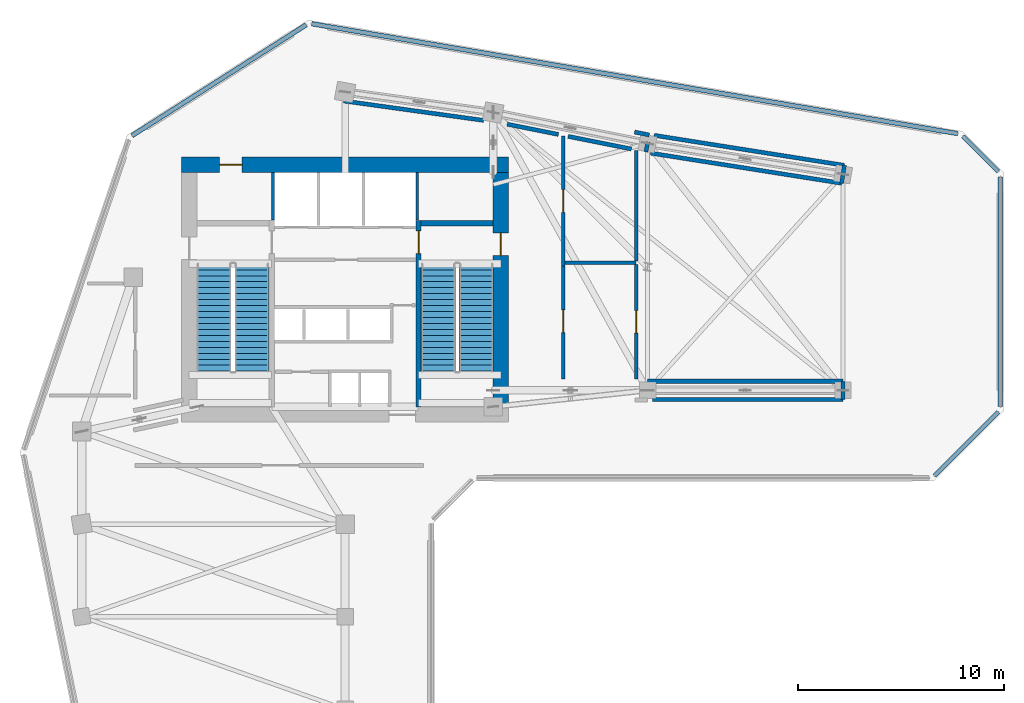
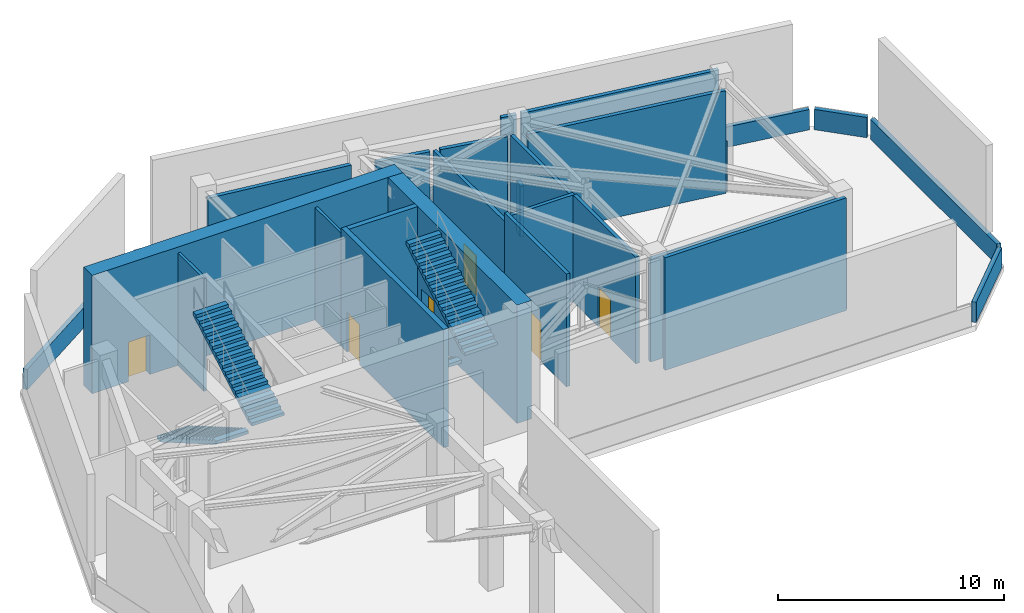
# One storey, part 7 of 10: 27 walls, 6 doors, 4 stair flights, 6 openings, 2 elements without a shape of their own.
"""IFC4 building model written with IfcOpenShell, lengths in metres."""

from ifc_helpers import new_model, si_unit, direction, frame, frame_2d, origin, place, context, subcontext, project, spatial, polyline, rectangle, outline, extrude, source, transform, mapped, material, layer, layer_set, type_object, element, fill, aggregate, save


model = new_model("IFC4")

# Units and contexts
model_context = context("Model", 3, precision=1e-05, world=origin(), true_north=direction((0.0, 1.0)))
body_context = subcontext(model_context, "Body", "Model", "MODEL_VIEW")
ifc_project = project(units=[si_unit("LENGTHUNIT", "METRE"), si_unit("AREAUNIT", "SQUARE_METRE"), si_unit("VOLUMEUNIT", "CUBIC_METRE"), si_unit("PLANEANGLEUNIT", "RADIAN"), si_unit("MASSUNIT", "GRAM", prefix="KILO")], contexts=[model_context])

# Site, building, storey
site_placement = place(None, origin())
site = spatial("IfcSite", under=ifc_project, at=site_placement, CompositionType="ELEMENT")
building_placement = place(site_placement, origin())
building = spatial("IfcBuilding", under=site, at=building_placement, Name="Calvemar Wedge Station Tower", CompositionType="ELEMENT")
storey_placement = place(building_placement, frame((0.0, 0.0, 171.800048828125)))
storey = spatial("IfcBuildingStorey", under=building, at=storey_placement, Name="L43", CompositionType="ELEMENT", Elevation=171.800048828125)

# Wall, opening, door
ifc_material_1 = material(Name="Concrete C50", Category="concrete")
ifc_layer_1 = layer(ifc_material_1, 0.260009765625)
ifc_layer_set_1 = layer_set([ifc_layer_1], Name="Concrete C50")
wall_type_1 = type_object("IfcWallType", Name="SW-CORE-260", PredefinedType="SHEAR", material=ifc_layer_set_1)
wall_1_placement = place(storey_placement, frame((27.3701171875, 34.199951171875, 0.0), z_axis=(0.0, 0.0, 1.0), x_axis=(0.0, 1.0, 0.0)))
wall_1 = element("IfcWall", 1, at=wall_1_placement, inside=storey, type_object=wall_type_1, Name="Storey L43 Core Shear Wall SPINE-E", PredefinedType="SHEAR", context=body_context, shape_type="SweptSolid", body=[
    extrude(rectangle(XDim=9.06005859375, YDim=0.260009765625, at=frame_2d((4.530029296875, 0.0))), origin(), (0.0, 0.0, 1.0), 6.39990234375),
])
shared_shape_1 = source(origin(), body_context, "Body", "SweptSolid", [
    extrude(rectangle(XDim=1.10009765625, YDim=2.14990234375, at=frame_2d((0.550048828125, 1.074951171875))), frame((0.0, 0.14013671875, 0.0), z_axis=(0.0, -1.0, 0.0), x_axis=(1.0, 0.0, 0.0)), (0.0, 0.0, 1.0), 0.280029296875),
])
opening_1_placement = place(wall_1_placement, frame((7.449951171875, 0.0, 0.0)))
opening_1 = element("IfcOpeningElement", 2, at=opening_1_placement, cuts=wall_1, Name="Opening FD-90", PredefinedType="OPENING", context=body_context, shape_type="MappedRepresentation", body=[
    mapped(shared_shape_1, transform((0.0, 0.0, 0.0), scale=1.0)),
])
ifc_material_2 = material(Name="Galvanized fire-rated steel door leaf P-90", Category="steel")
door_type = type_object("IfcDoorType", Name="DR-FD90-1100", OperationType="NOTDEFINED", PredefinedType="DOOR", material=ifc_material_2)
shared_shape_2 = source(origin(), body_context, "Body", "SweptSolid", [
    extrude(rectangle(XDim=1.10009765625, YDim=2.14990234375, at=frame_2d((0.550048828125, 1.074951171875))), frame((0.0, 0.02490234375, 0.0), z_axis=(0.0, -1.0, 0.0), x_axis=(1.0, 0.0, 0.0)), (0.0, 0.0, 1.0), 0.050048828125),
])
door_1_placement = place(opening_1_placement, origin())
door_1 = element("IfcDoor", 3, at=door_1_placement, inside=storey, type_object=door_type, Name="L43 FF Lobby to Stair ST-C2 Door", OperationType="SINGLE_SWING_LEFT", OverallHeight=2.14990234375, OverallWidth=1.10009765625, PredefinedType="DOOR", context=body_context, shape_type="MappedRepresentation", body=[
    mapped(shared_shape_2, transform((0.0, 0.0, 0.0), scale=1.0)),
])
fill(opening_1, door_1)

# Wall
wall_2_placement = place(storey_placement, frame((27.5, 43.1298828125, 0.0), z_axis=(0.0, 0.0, 1.0), x_axis=(1.0, 0.0, 0.0)))
element("IfcWall", 4, at=wall_2_placement, inside=storey, type_object=wall_type_1, Name="Storey L43 Core Shear Wall STC2-N", PredefinedType="SHEAR", context=body_context, shape_type="SweptSolid", body=[
    extrude(rectangle(XDim=3.5, YDim=0.260009765625, at=frame_2d((1.75, 0.0))), origin(), (0.0, 0.0, 1.0), 6.39990234375),
])

# Wall, opening, door
ifc_material_3 = material(Name="Concrete C70", Category="concrete")
ifc_layer_2 = layer(ifc_material_3, 0.75)
ifc_layer_set_2 = layer_set([ifc_layer_2], Name="Concrete C70")
wall_type_2 = type_object("IfcWallType", Name="SW-CORE-750", PredefinedType="SHEAR", material=ifc_layer_set_2)
wall_3_placement = place(storey_placement, frame((15.85009765625, 45.97509765625, 0.0), z_axis=(0.0, 0.0, 1.0), x_axis=(1.0, 0.0, 0.0)))
wall_3 = element("IfcWall", 5, at=wall_3_placement, inside=storey, type_object=wall_type_2, Name="Storey L43 Core Shear Wall N", PredefinedType="SHEAR", context=body_context, shape_type="SweptSolid", body=[
    extrude(rectangle(XDim=15.89990234375, YDim=0.75, at=frame_2d((7.949951171875, 0.0))), origin(), (0.0, 0.0, 1.0), 6.39990234375),
])
shared_shape_3 = source(origin(), body_context, "Body", "SweptSolid", [
    extrude(rectangle(XDim=1.10009765625, YDim=2.14990234375, at=frame_2d((0.550048828125, 1.074951171875))), frame((0.0, 0.385009765625, 0.0), z_axis=(0.0, -1.0, 0.0), x_axis=(1.0, 0.0, 0.0)), (0.0, 0.0, 1.0), 0.77001953125),
])
opening_2_placement = place(wall_3_placement, frame((1.85009765625, 0.0, 0.0)))
opening_2 = element("IfcOpeningElement", 6, at=opening_2_placement, cuts=wall_3, Name="Opening FD-90", PredefinedType="OPENING", context=body_context, shape_type="MappedRepresentation", body=[
    mapped(shared_shape_3, transform((0.0, 0.0, 0.0), scale=1.0)),
])
door_2_placement = place(opening_2_placement, origin())
door_2 = element("IfcDoor", 7, at=door_2_placement, inside=storey, type_object=door_type, Name="L43 North Corridor to Firefighting Lobby Door", OperationType="SINGLE_SWING_RIGHT", OverallHeight=2.14990234375, OverallWidth=1.10009765625, PredefinedType="DOOR", context=body_context, shape_type="MappedRepresentation", body=[
    mapped(shared_shape_2, transform((0.0, 0.0, 0.0), scale=1.0)),
])
fill(opening_2, door_2)

wall_4_placement = place(storey_placement, frame((31.375, 34.199951171875, 0.0), z_axis=(0.0, 0.0, 1.0), x_axis=(0.0, 1.0, 0.0)))
wall_4 = element("IfcWall", 8, at=wall_4_placement, inside=storey, type_object=wall_type_2, Name="Storey L43 Core Shear Wall E", PredefinedType="SHEAR", context=body_context, shape_type="SweptSolid", body=[
    extrude(rectangle(XDim=11.400146484375, YDim=0.75, at=frame_2d((5.7001953125, 0.0))), origin(), (0.0, 0.0, 1.0), 6.39990234375),
])
opening_3_placement = place(wall_4_placement, frame((7.35009765625, 0.0, 0.0)))
opening_3 = element("IfcOpeningElement", 9, at=opening_3_placement, cuts=wall_4, Name="Opening FD-90", PredefinedType="OPENING", context=body_context, shape_type="MappedRepresentation", body=[
    mapped(shared_shape_3, transform((0.0, 0.0, 0.0), scale=1.0)),
])
door_3_placement = place(opening_3_placement, origin())
door_3 = element("IfcDoor", 10, at=door_3_placement, inside=storey, type_object=door_type, Name="L43 East Corridor to Exit Stair ST-C2 Door", OperationType="SINGLE_SWING_LEFT", OverallHeight=2.14990234375, OverallWidth=1.10009765625, PredefinedType="DOOR", context=body_context, shape_type="MappedRepresentation", body=[
    mapped(shared_shape_2, transform((0.0, 0.0, 0.0), scale=1.0)),
])
fill(opening_3, door_3)

ifc_material_4 = material(Name="Double-stud fire-rated corridor partition")
ifc_layer_3 = layer(ifc_material_4, 0.179931640625)
ifc_layer_set_3 = layer_set([ifc_layer_3], Name="Double-stud fire-rated corridor partition")
wall_type_3 = type_object("IfcWallType", Name="W-CORR-180", PredefinedType="PARTITIONING", material=ifc_layer_set_3)
wall_5_placement = place(storey_placement, frame((34.39990234375, 47.371337890625, 0.0), z_axis=(0.0, 0.0, 1.0), x_axis=(0.0, -1.0, 0.0)))
wall_5 = element("IfcWall", 11, at=wall_5_placement, inside=storey, type_object=wall_type_3, Name="Storey L43 Interior Partition WL-L43-006", PredefinedType="PARTITIONING", context=body_context, shape_type="SweptSolid", body=[
    extrude(rectangle(XDim=6.331298828125, YDim=0.179931640625, at=frame_2d((3.16552734375, 0.0))), origin(), (0.0, 0.0, 1.0), 5.62890625),
])
shared_shape_4 = source(origin(), body_context, "Body", "SweptSolid", [
    extrude(rectangle(XDim=1.10009765625, YDim=2.14990234375, at=frame_2d((0.550048828125, 1.074951171875))), frame((0.0, 0.10009765625, 0.0), z_axis=(0.0, -1.0, 0.0), x_axis=(1.0, 0.0, 0.0)), (0.0, 0.0, 1.0), 0.199951171875),
])
opening_4_placement = place(wall_5_placement, frame((2.615478515625, 0.0, 0.0)))
opening_4 = element("IfcOpeningElement", 12, at=opening_4_placement, cuts=wall_5, Name="Opening FD-90", PredefinedType="OPENING", context=body_context, shape_type="MappedRepresentation", body=[
    mapped(shared_shape_4, transform((0.0, 0.0, 0.0), scale=1.0)),
])
door_4_placement = place(opening_4_placement, origin())
door_4 = element("IfcDoor", 13, at=door_4_placement, inside=storey, type_object=door_type, Name="L43 Intermediate Booster Pump Room Door", OperationType="SINGLE_SWING_LEFT", OverallHeight=2.14990234375, OverallWidth=1.10009765625, PredefinedType="DOOR", context=body_context, shape_type="MappedRepresentation", body=[
    mapped(shared_shape_2, transform((0.0, 0.0, 0.0), scale=1.0)),
])
fill(opening_4, door_4)

wall_6_placement = place(storey_placement, frame((34.39990234375, 41.0380859375, 0.0), z_axis=(0.0, 0.0, 1.0), x_axis=(0.0, -1.0, 0.0)))
wall_6 = element("IfcWall", 14, at=wall_6_placement, inside=storey, type_object=wall_type_3, Name="Storey L43 Interior Partition WL-L43-007", PredefinedType="PARTITIONING", context=body_context, shape_type="SweptSolid", body=[
    extrude(rectangle(XDim=5.488037109375, YDim=0.179931640625, at=frame_2d((2.744140625, 0.0))), origin(), (0.0, 0.0, 1.0), 6.099853515625),
])
opening_5_placement = place(wall_6_placement, frame((2.13232421875, 0.0, 0.0)))
opening_5 = element("IfcOpeningElement", 15, at=opening_5_placement, cuts=wall_6, Name="Opening FD-90", PredefinedType="OPENING", context=body_context, shape_type="MappedRepresentation", body=[
    mapped(shared_shape_4, transform((0.0, 0.0, 0.0), scale=1.0)),
])
door_5_placement = place(opening_5_placement, origin())
door_5 = element("IfcDoor", 16, at=door_5_placement, inside=storey, type_object=door_type, Name="L43 Zone Electrical Substation Door", OperationType="SINGLE_SWING_RIGHT", OverallHeight=2.14990234375, OverallWidth=1.10009765625, PredefinedType="DOOR", context=body_context, shape_type="MappedRepresentation", body=[
    mapped(shared_shape_2, transform((0.0, 0.0, 0.0), scale=1.0)),
])
fill(opening_5, door_5)

# Walls
wall_7_placement = place(storey_placement, frame((37.949951171875, 41.199951171875, 0.0), z_axis=(0.0, 0.0, 1.0), x_axis=(-1.0, 0.0, 0.0)))
element("IfcWall", 17, at=wall_7_placement, inside=storey, type_object=wall_type_3, Name="Storey L43 Interior Partition WL-L43-008", PredefinedType="PARTITIONING", context=body_context, shape_type="SweptSolid", body=[
    extrude(rectangle(XDim=3.4560546875, YDim=0.179931640625, at=frame_2d((1.72802734375, 0.0))), origin(), (0.0, 0.0, 1.0), 5.76904296875),
])
wall_8_placement = place(storey_placement, frame((37.949951171875, 46.661376953125, 0.0), z_axis=(0.0, 0.0, 1.0), x_axis=(0.0, -1.0, 0.0)))
element("IfcWall", 18, at=wall_8_placement, inside=storey, type_object=wall_type_3, Name="Storey L43 Interior Partition WL-L43-009", PredefinedType="PARTITIONING", context=body_context, shape_type="SweptSolid", body=[
    extrude(rectangle(XDim=5.367431640625, YDim=0.179931640625, at=frame_2d((2.68359375, 0.0))), origin(), (0.0, 0.0, 1.0), 5.62890625),
])

# Wall, opening, door
wall_9_placement = place(storey_placement, frame((37.949951171875, 41.10595703125, 0.0), z_axis=(0.0, 0.0, 1.0), x_axis=(0.0, -1.0, 0.0)))
wall_9 = element("IfcWall", 19, at=wall_9_placement, inside=storey, type_object=wall_type_3, Name="Storey L43 Interior Partition WL-L43-010", PredefinedType="PARTITIONING", context=body_context, shape_type="SweptSolid", body=[
    extrude(rectangle(XDim=5.555908203125, YDim=0.179931640625, at=frame_2d((2.77783203125, 0.0))), origin(), (0.0, 0.0, 1.0), 5.76904296875),
])
opening_6_placement = place(wall_9_placement, frame((2.22802734375, 0.0, 0.0)))
opening_6 = element("IfcOpeningElement", 20, at=opening_6_placement, cuts=wall_9, Name="Opening FD-90", PredefinedType="OPENING", context=body_context, shape_type="MappedRepresentation", body=[
    mapped(shared_shape_4, transform((0.0, 0.0, 0.0), scale=1.0)),
])
door_6_placement = place(opening_6_placement, origin())
door_6 = element("IfcDoor", 21, at=door_6_placement, inside=storey, type_object=door_type, Name="L43 Zone Air Handling Plant Room Door", OperationType="SINGLE_SWING_LEFT", OverallHeight=2.14990234375, OverallWidth=1.10009765625, PredefinedType="DOOR", context=body_context, shape_type="MappedRepresentation", body=[
    mapped(shared_shape_2, transform((0.0, 0.0, 0.0), scale=1.0)),
])
fill(opening_6, door_6)

# Walls
ifc_material_5 = material(Name="Reinforced concrete blockwork lift shaft wall", Category="masonry")
ifc_layer_4 = layer(ifc_material_5, 0.139892578125)
ifc_layer_set_4 = layer_set([ifc_layer_4], Name="Reinforced concrete blockwork lift shaft wall")
wall_type_4 = type_object("IfcWallType", Name="W-LIFT-160", PredefinedType="SOLIDWALL", material=ifc_layer_set_4)
for number, where, z_axis, x_axis, name in (
    (22, (20.2900390625, 43.280029296875, 0.0), (0.0, 0.0, 1.0), (0.0, 1.0, 0.0), "Storey L43 Firefighting Lift Shaft Enclosure Wall W"),
    (23, (27.31005859375, 43.280029296875, 0.0), (0.0, 0.0, 1.0), (0.0, 1.0, 0.0), "Storey L43 Firefighting Lift Shaft Enclosure Wall E"),
):
    element("IfcWall", number, at=place(storey_placement, frame(where, z_axis=z_axis, x_axis=x_axis)), inside=storey, type_object=wall_type_4, Name=name, PredefinedType="SOLIDWALL", context=body_context, shape_type="SweptSolid", body=[
        extrude(rectangle(XDim=2.300048828125, YDim=0.139892578125, at=frame_2d((1.14990234375, 0.0))), origin(), (0.0, 0.0, 1.0), 6.099853515625),
    ])
ifc_material_6 = material(Name="Precast concrete C45", Category="concrete")
ifc_layer_5 = layer(ifc_material_6, 0.219970703125)
ifc_layer_set_5 = layer_set([ifc_layer_5], Name="Precast concrete C45")
wall_type_5 = type_object("IfcWallType", Name="W-PARA-220", PredefinedType="PARAPET", material=ifc_layer_set_5)
wall_10_placement = place(storey_placement, frame((52.44384765625, 30.84814453125, 0.0), z_axis=(0.0, 0.0, 1.0), x_axis=(0.707134624969, 0.707078936308, 0.0)))
element("IfcWall", 24, at=wall_10_placement, inside=storey, type_object=wall_type_5, Name="Wind Floor L43 Acoustic Curb Wall 7", PredefinedType="PARAPET", context=body_context, shape_type="SweptSolid", body=[
    extrude(rectangle(XDim=4.384033203125, YDim=0.219970703125, at=frame_2d((2.19189453125, 0.0))), origin(), (0.0, 0.0, 1.0), 1.099853515625),
])
wall_11_placement = place(storey_placement, frame((55.64990234375, 34.2041015625, 0.0), z_axis=(0.0, 0.0, 1.0), x_axis=(0.0, 1.0, 0.0)))
element("IfcWall", 25, at=wall_11_placement, inside=storey, type_object=wall_type_5, Name="Wind Floor L43 Acoustic Curb Wall 8", PredefinedType="PARAPET", context=body_context, shape_type="SweptSolid", body=[
    extrude(rectangle(XDim=11.17578125, YDim=0.219970703125, at=frame_2d((5.587890625, 0.0))), origin(), (0.0, 0.0, 1.0), 1.099853515625),
])
wall_12_placement = place(storey_placement, frame((55.5439453125, 45.635986328125, 0.0), z_axis=(0.0, 0.0, 1.0), x_axis=(-0.707106781187, 0.707106781187, 0.0)))
element("IfcWall", 26, at=wall_12_placement, inside=storey, type_object=wall_type_5, Name="Wind Floor L43 Acoustic Curb Wall 9", PredefinedType="PARAPET", context=body_context, shape_type="SweptSolid", body=[
    extrude(rectangle(XDim=2.418701171875, YDim=0.219970703125, at=frame_2d((1.20947265625, 0.0))), origin(), (0.0, 0.0, 1.0), 1.099853515625),
])
wall_13_placement = place(storey_placement, frame((53.579833984375, 47.477294921875, 0.0), z_axis=(0.0, 0.0, 1.0), x_axis=(-0.98584514304, 0.1676584443, 0.0)))
element("IfcWall", 27, at=wall_13_placement, inside=storey, type_object=wall_type_5, Name="Wind Floor L43 Acoustic Curb Wall 10", PredefinedType="PARAPET", context=body_context, shape_type="SweptSolid", body=[
    extrude(rectangle(XDim=31.85107421875, YDim=0.219970703125, at=frame_2d((15.925537109375, 0.0))), origin(), (0.0, 0.0, 1.0), 1.099853515625),
])
wall_14_placement = place(storey_placement, frame((21.9052734375, 52.761962890625, 0.0), z_axis=(0.0, 0.0, 1.0), x_axis=(-0.843658477939, -0.536880221839, 0.0)))
element("IfcWall", 28, at=wall_14_placement, inside=storey, type_object=wall_type_5, Name="Wind Floor L43 Acoustic Curb Wall 11", PredefinedType="PARAPET", context=body_context, shape_type="SweptSolid", body=[
    extrude(rectangle(XDim=10.020263671875, YDim=0.219970703125, at=frame_2d((5.01025390625, 0.0))), origin(), (0.0, 0.0, 1.0), 1.099853515625),
])
ifc_material_7 = material(Name="Concrete blockwork and fireboard shaft wall", Category="masonry")
ifc_layer_6 = layer(ifc_material_7, 0.199951171875)
ifc_layer_set_6 = layer_set([ifc_layer_6], Name="Concrete blockwork and fireboard shaft wall")
wall_type_6 = type_object("IfcWallType", Name="W-SHAFT-200", PredefinedType="SOLIDWALL", material=ifc_layer_set_6)
wall_15_placement = place(storey_placement, frame((38.515625, 47.078369140625, 0.0), z_axis=(0.0, 0.0, 1.0), x_axis=(-0.196303946262, -0.98054309476, 0.0)))
element("IfcWall", 29, at=wall_15_placement, inside=storey, type_object=wall_type_6, Name="Storey L43 Fire-Rated Truss Casing Wall WL-L43-013", PredefinedType="SOLIDWALL", context=body_context, shape_type="SweptSolid", body=[
    extrude(rectangle(XDim=0.5, YDim=0.199951171875, at=frame_2d((0.25, 0.0))), origin(), (0.0, 0.0, 1.0), 2.741943359375),
])
wall_16_placement = place(storey_placement, frame((37.719482421875, 46.727783203125, 0.0), z_axis=(0.0, 0.0, 1.0), x_axis=(-0.980577685683, 0.196131084587, 0.0)))
element("IfcWall", 30, at=wall_16_placement, inside=storey, type_object=wall_type_6, Name="Storey L43 Fire-Rated Truss Casing Wall WL-L43-014", PredefinedType="SOLIDWALL", context=body_context, shape_type="SweptSolid", body=[
    extrude(rectangle(XDim=3.140625, YDim=0.199951171875, at=frame_2d((1.5703125, 0.0))), origin(), (0.0, 0.0, 1.0), 5.62890625),
])
wall_17_placement = place(storey_placement, frame((34.16943359375, 47.437744140625, 0.0), z_axis=(0.0, 0.0, 1.0), x_axis=(-0.980580675691, 0.196116135138, 0.0)))
element("IfcWall", 31, at=wall_17_placement, inside=storey, type_object=wall_type_6, Name="Storey L43 Fire-Rated Truss Casing Wall WL-L43-015", PredefinedType="SOLIDWALL", context=body_context, shape_type="SweptSolid", body=[
    extrude(rectangle(XDim=2.540771484375, YDim=0.199951171875, at=frame_2d((1.2705078125, 0.0))), origin(), (0.0, 0.0, 1.0), 5.62890625),
])
wall_18_placement = place(storey_placement, frame((37.8701171875, 47.55419921875, 0.0), z_axis=(0.0, 0.0, 1.0), x_axis=(0.980619432534, -0.195922251257, 0.0)))
element("IfcWall", 32, at=wall_18_placement, inside=storey, type_object=wall_type_6, Name="Storey L43 Fire-Rated Truss Casing Wall WL-L43-016", PredefinedType="SOLIDWALL", context=body_context, shape_type="SweptSolid", body=[
    extrude(rectangle(XDim=0.7265625, YDim=0.199951171875, at=frame_2d((0.36328125, 0.0))), origin(), (0.0, 0.0, 1.0), 6.099853515625),
])
wall_19_placement = place(storey_placement, frame((30.530029296875, 48.12109375, 0.0), z_axis=(0.0, 0.0, 1.0), x_axis=(-0.990492542754, 0.137566430311, 0.0)))
element("IfcWall", 33, at=wall_19_placement, inside=storey, type_object=wall_type_6, Name="Storey L43 Fire-Rated Truss Casing Wall WL-L43-020", PredefinedType="SOLIDWALL", context=body_context, shape_type="SweptSolid", body=[
    extrude(rectangle(XDim=6.855712890625, YDim=0.199951171875, at=frame_2d((3.427734375, 0.0))), origin(), (0.0, 0.0, 1.0), 5.76904296875),
])
wall_20_placement = place(storey_placement, frame((48.068603515625, 45.9345703125, 0.0), z_axis=(0.0, 0.0, 1.0), x_axis=(-0.155934077232, -0.987767464314, 0.0)))
element("IfcWall", 34, at=wall_20_placement, inside=storey, type_object=wall_type_6, Name="Storey L43 Fire-Rated Truss Casing Wall WL-L43-021", PredefinedType="SOLIDWALL", context=body_context, shape_type="SweptSolid", body=[
    extrude(rectangle(XDim=0.8798828125, YDim=0.199951171875, at=frame_2d((0.43994140625, 0.0))), origin(), (0.0, 0.0, 1.0), 2.741943359375),
])
wall_21_placement = place(storey_placement, frame((47.931396484375, 45.0654296875, 0.0), z_axis=(0.0, 0.0, 1.0), x_axis=(-0.987764440027, 0.155953233435, 0.0)))
element("IfcWall", 35, at=wall_21_placement, inside=storey, type_object=wall_type_6, Name="Storey L43 Fire-Rated Truss Casing Wall WL-L43-022", PredefinedType="SOLIDWALL", context=body_context, shape_type="SweptSolid", body=[
    extrude(rectangle(XDim=9.39599609375, YDim=0.199951171875, at=frame_2d((4.697998046875, 0.0))), origin(), (0.0, 0.0, 1.0), 5.552978515625),
])
wall_22_placement = place(storey_placement, frame((38.821533203125, 47.394775390625, 0.0), z_axis=(0.0, 0.0, 1.0), x_axis=(0.987760639272, -0.155977304454, 0.0)))
element("IfcWall", 36, at=wall_22_placement, inside=storey, type_object=wall_type_6, Name="Storey L43 Fire-Rated Truss Casing Wall WL-L43-023", PredefinedType="SOLIDWALL", context=body_context, shape_type="SweptSolid", body=[
    extrude(rectangle(XDim=9.361572265625, YDim=0.199951171875, at=frame_2d((4.6806640625, 0.0))), origin(), (0.0, 0.0, 1.0), 6.099853515625),
])
wall_23_placement = place(storey_placement, frame((48.0, 35.43994140625, 0.0), z_axis=(0.0, 0.0, 1.0), x_axis=(0.0, -1.0, 0.0)))
element("IfcWall", 37, at=wall_23_placement, inside=storey, type_object=wall_type_6, Name="Storey L43 Fire-Rated Truss Casing Wall WL-L43-024", PredefinedType="SOLIDWALL", context=body_context, shape_type="SweptSolid", body=[
    extrude(rectangle(XDim=0.8798828125, YDim=0.199951171875, at=frame_2d((0.43994140625, 0.0))), origin(), (0.0, 0.0, 1.0), 2.741943359375),
])
wall_24_placement = place(storey_placement, frame((48.0, 34.56005859375, 0.0), z_axis=(0.0, 0.0, 1.0), x_axis=(-1.0, 0.0, 0.0)))
element("IfcWall", 38, at=wall_24_placement, inside=storey, type_object=wall_type_6, Name="Storey L43 Fire-Rated Truss Casing Wall WL-L43-025", PredefinedType="SOLIDWALL", context=body_context, shape_type="SweptSolid", body=[
    extrude(rectangle(XDim=9.260986328125, YDim=0.199951171875, at=frame_2d((4.63037109375, 0.0))), origin(), (0.0, 0.0, 1.0), 6.099853515625),
])
wall_25_placement = place(storey_placement, frame((38.5, 35.43994140625, 0.0), z_axis=(0.0, 0.0, 1.0), x_axis=(1.0, 0.0, 0.0)))
element("IfcWall", 39, at=wall_25_placement, inside=storey, type_object=wall_type_6, Name="Storey L43 Fire-Rated Truss Casing Wall WL-L43-026", PredefinedType="SOLIDWALL", context=body_context, shape_type="SweptSolid", body=[
    extrude(rectangle(XDim=9.5, YDim=0.199951171875, at=frame_2d((4.75, 0.0))), origin(), (0.0, 0.0, 1.0), 5.552978515625),
])

# Stair, stair flights
ifc_material_8 = material(Name="Concrete C45", Category="concrete")
stair_type = type_object("IfcStairType", Name="ST-TYPE-6400", PredefinedType="HALF_TURN_STAIR", material=ifc_material_8)
stair_1_placement = place(storey_placement, origin())
stair_1 = element("IfcStair", 40, at=stair_1_placement, inside=storey, type_object=stair_type, Name="L43 Pressurized Core Exit Stair ST-C1", PredefinedType="HALF_TURN_STAIR")
stair_flight_type = type_object("IfcStairFlightType", Name="STF-TYPE-6400", PredefinedType="STRAIGHT", material=ifc_material_8)
stair_flight_1_placement = place(storey_placement, frame((17.429931640625, 41.14990234375, 0.0), z_axis=(0.0, 0.0, 1.0), x_axis=(0.0, -1.0, 0.0)))
stair_flight_1 = element("IfcStairFlight", 41, at=stair_flight_1_placement, type_object=stair_flight_type, Name="ST-C1 flight 1", NumberOfRisers=19, NumberOfTreads=18, PredefinedType="STRAIGHT", RiserHeight=0.168421053, TreadLength=0.29, context=body_context, shape_type="SweptSolid", body=[
    extrude(outline(polyline([(0.0, 0.0), (0.0, 0.16845703125), (0.2900390625, 0.16845703125), (0.2900390625, 0.3369140625), (0.580078125, 0.3369140625), (0.580078125, 0.50537109375), (0.8701171875, 0.50537109375), (0.8701171875, 0.673583984375), (1.159912109375, 0.673583984375), (1.159912109375, 0.842041015625), (1.449951171875, 0.842041015625), (1.449951171875, 1.010498046875), (1.739990234375, 1.010498046875), (1.739990234375, 1.178955078125), (2.030029296875, 1.178955078125), (2.030029296875, 1.347412109375), (2.320068359375, 1.347412109375), (2.320068359375, 1.515869140625), (2.610107421875, 1.515869140625), (2.610107421875, 1.684326171875), (2.89990234375, 1.684326171875), (2.89990234375, 1.8525390625), (3.18994140625, 1.8525390625), (3.18994140625, 2.02099609375), (3.47998046875, 2.02099609375), (3.47998046875, 2.189453125), (3.77001953125, 2.189453125), (3.77001953125, 2.35791015625), (4.06005859375, 2.35791015625), (4.06005859375, 2.5263671875), (4.35009765625, 2.5263671875), (4.35009765625, 2.69482421875), (4.639892578125, 2.69482421875), (4.639892578125, 2.863037109375), (4.929931640625, 2.863037109375), (4.929931640625, 3.031494140625), (5.219970703125, 3.031494140625), (5.219970703125, 3.199951171875), (5.219970703125, 2.858154296875), (0.298583984375, 0.0), (0.0, 0.0)])), frame((0.0, 0.830078125, 0.0), z_axis=(0.0, -1.0, 0.0), x_axis=(1.0, 0.0, 0.0)), (0.0, 0.0, 1.0), 1.659912109375),
])
stair_flight_2_placement = place(storey_placement, frame((19.27001953125, 35.929931640625, 3.199951171875), z_axis=(0.0, 0.0, 1.0), x_axis=(0.0, 1.0, 0.0)))
stair_flight_2 = element("IfcStairFlight", 42, at=stair_flight_2_placement, type_object=stair_flight_type, Name="ST-C1 flight 2", NumberOfRisers=19, NumberOfTreads=18, PredefinedType="STRAIGHT", RiserHeight=0.168421053, TreadLength=0.29, context=body_context, shape_type="SweptSolid", body=[
    extrude(outline(polyline([(0.0, 0.0), (0.0, 0.16845703125), (0.2900390625, 0.16845703125), (0.2900390625, 0.3369140625), (0.580078125, 0.3369140625), (0.580078125, 0.50537109375), (0.8701171875, 0.50537109375), (0.8701171875, 0.673583984375), (1.159912109375, 0.673583984375), (1.159912109375, 0.842041015625), (1.449951171875, 0.842041015625), (1.449951171875, 1.010498046875), (1.739990234375, 1.010498046875), (1.739990234375, 1.178955078125), (2.030029296875, 1.178955078125), (2.030029296875, 1.347412109375), (2.320068359375, 1.347412109375), (2.320068359375, 1.515869140625), (2.610107421875, 1.515869140625), (2.610107421875, 1.684326171875), (2.89990234375, 1.684326171875), (2.89990234375, 1.8525390625), (3.18994140625, 1.8525390625), (3.18994140625, 2.02099609375), (3.47998046875, 2.02099609375), (3.47998046875, 2.189453125), (3.77001953125, 2.189453125), (3.77001953125, 2.35791015625), (4.06005859375, 2.35791015625), (4.06005859375, 2.5263671875), (4.35009765625, 2.5263671875), (4.35009765625, 2.69482421875), (4.639892578125, 2.69482421875), (4.639892578125, 2.863037109375), (4.929931640625, 2.863037109375), (4.929931640625, 3.031494140625), (5.219970703125, 3.031494140625), (5.219970703125, 3.199951171875), (5.219970703125, 2.858154296875), (0.298583984375, 0.0), (0.0, 0.0)])), frame((0.0, 0.830078125, 0.0), z_axis=(0.0, -1.0, 0.0), x_axis=(1.0, 0.0, 0.0)), (0.0, 0.0, 1.0), 1.659912109375),
])
aggregate(stair_1, [stair_flight_1, stair_flight_2])

stair_2_placement = place(storey_placement, origin())
stair_2 = element("IfcStair", 43, at=stair_2_placement, inside=storey, type_object=stair_type, Name="L43 Pressurized Core Exit Stair ST-C2", PredefinedType="HALF_TURN_STAIR")
stair_flight_3_placement = place(storey_placement, frame((28.330078125, 41.14990234375, 0.0), z_axis=(0.0, 0.0, 1.0), x_axis=(0.0, -1.0, 0.0)))
stair_flight_3 = element("IfcStairFlight", 44, at=stair_flight_3_placement, type_object=stair_flight_type, Name="ST-C2 flight 1", NumberOfRisers=19, NumberOfTreads=18, PredefinedType="STRAIGHT", RiserHeight=0.168421053, TreadLength=0.29, context=body_context, shape_type="SweptSolid", body=[
    extrude(outline(polyline([(0.0, 0.0), (0.0, 0.16845703125), (0.2900390625, 0.16845703125), (0.2900390625, 0.3369140625), (0.580078125, 0.3369140625), (0.580078125, 0.50537109375), (0.8701171875, 0.50537109375), (0.8701171875, 0.673583984375), (1.159912109375, 0.673583984375), (1.159912109375, 0.842041015625), (1.449951171875, 0.842041015625), (1.449951171875, 1.010498046875), (1.739990234375, 1.010498046875), (1.739990234375, 1.178955078125), (2.030029296875, 1.178955078125), (2.030029296875, 1.347412109375), (2.320068359375, 1.347412109375), (2.320068359375, 1.515869140625), (2.610107421875, 1.515869140625), (2.610107421875, 1.684326171875), (2.89990234375, 1.684326171875), (2.89990234375, 1.8525390625), (3.18994140625, 1.8525390625), (3.18994140625, 2.02099609375), (3.47998046875, 2.02099609375), (3.47998046875, 2.189453125), (3.77001953125, 2.189453125), (3.77001953125, 2.35791015625), (4.06005859375, 2.35791015625), (4.06005859375, 2.5263671875), (4.35009765625, 2.5263671875), (4.35009765625, 2.69482421875), (4.639892578125, 2.69482421875), (4.639892578125, 2.863037109375), (4.929931640625, 2.863037109375), (4.929931640625, 3.031494140625), (5.219970703125, 3.031494140625), (5.219970703125, 3.199951171875), (5.219970703125, 2.858154296875), (0.298583984375, 0.0), (0.0, 0.0)])), frame((0.0, 0.830078125, 0.0), z_axis=(0.0, -1.0, 0.0), x_axis=(1.0, 0.0, 0.0)), (0.0, 0.0, 1.0), 1.659912109375),
])
stair_flight_4_placement = place(storey_placement, frame((30.169921875, 35.929931640625, 3.199951171875), z_axis=(0.0, 0.0, 1.0), x_axis=(0.0, 1.0, 0.0)))
stair_flight_4 = element("IfcStairFlight", 45, at=stair_flight_4_placement, type_object=stair_flight_type, Name="ST-C2 flight 2", NumberOfRisers=19, NumberOfTreads=18, PredefinedType="STRAIGHT", RiserHeight=0.168421053, TreadLength=0.29, context=body_context, shape_type="SweptSolid", body=[
    extrude(outline(polyline([(0.0, 0.0), (0.0, 0.16845703125), (0.2900390625, 0.16845703125), (0.2900390625, 0.3369140625), (0.580078125, 0.3369140625), (0.580078125, 0.50537109375), (0.8701171875, 0.50537109375), (0.8701171875, 0.673583984375), (1.159912109375, 0.673583984375), (1.159912109375, 0.842041015625), (1.449951171875, 0.842041015625), (1.449951171875, 1.010498046875), (1.739990234375, 1.010498046875), (1.739990234375, 1.178955078125), (2.030029296875, 1.178955078125), (2.030029296875, 1.347412109375), (2.320068359375, 1.347412109375), (2.320068359375, 1.515869140625), (2.610107421875, 1.515869140625), (2.610107421875, 1.684326171875), (2.89990234375, 1.684326171875), (2.89990234375, 1.8525390625), (3.18994140625, 1.8525390625), (3.18994140625, 2.02099609375), (3.47998046875, 2.02099609375), (3.47998046875, 2.189453125), (3.77001953125, 2.189453125), (3.77001953125, 2.35791015625), (4.06005859375, 2.35791015625), (4.06005859375, 2.5263671875), (4.35009765625, 2.5263671875), (4.35009765625, 2.69482421875), (4.639892578125, 2.69482421875), (4.639892578125, 2.863037109375), (4.929931640625, 2.863037109375), (4.929931640625, 3.031494140625), (5.219970703125, 3.031494140625), (5.219970703125, 3.199951171875), (5.219970703125, 2.858154296875), (0.298583984375, 0.0), (0.0, 0.0)])), frame((0.0, 0.830078125, 0.0), z_axis=(0.0, -1.0, 0.0), x_axis=(1.0, 0.0, 0.0)), (0.0, 0.0, 1.0), 1.659912109375),
])
aggregate(stair_2, [stair_flight_3, stair_flight_4])

save(model, "model.ifc")
